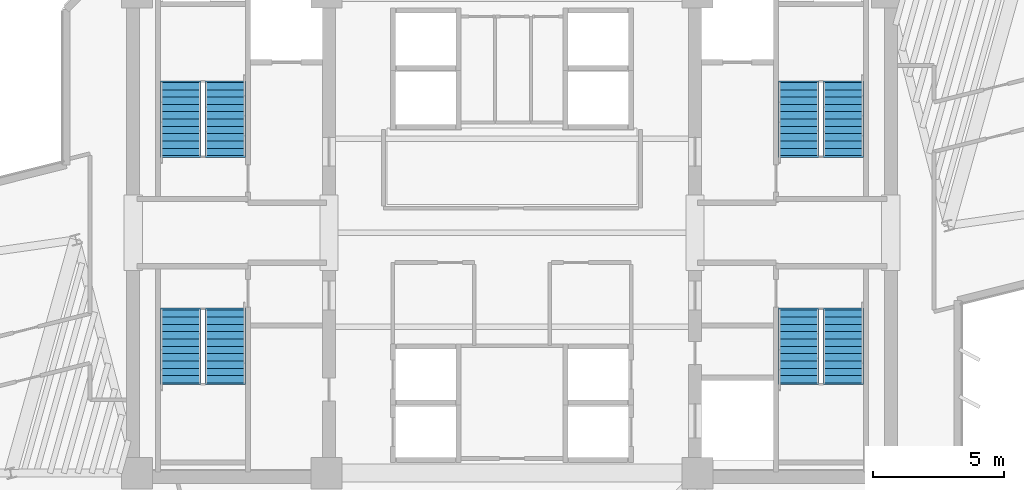
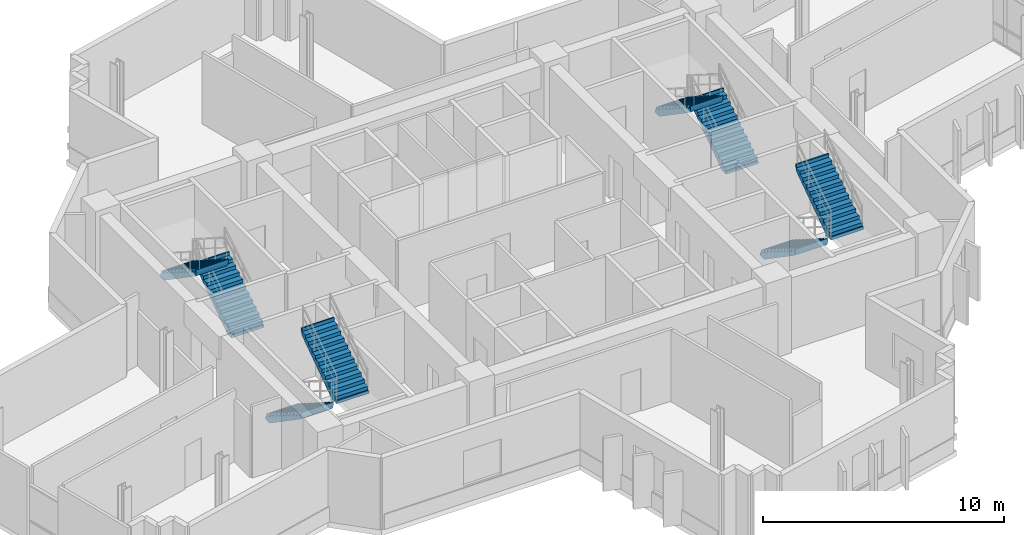
# One storey, part 10 of 13: 8 stair flights, 4 elements without a shape of their own.
"""IFC4 building model written with IfcOpenShell, lengths in metres."""

from ifc_helpers import new_model, si_unit, direction, frame, origin, place, context, subcontext, project, spatial, polyline, outline, extrude, material, type_object, element, aggregate, save


model = new_model("IFC4")

# Units and contexts
model_context = context("Model", 3, precision=1e-05, world=origin(), true_north=direction((0.0, 1.0)))
body_context = subcontext(model_context, "Body", "Model", "MODEL_VIEW")
ifc_project = project(units=[si_unit("LENGTHUNIT", "METRE"), si_unit("AREAUNIT", "SQUARE_METRE"), si_unit("VOLUMEUNIT", "CUBIC_METRE"), si_unit("PLANEANGLEUNIT", "RADIAN"), si_unit("MASSUNIT", "GRAM", prefix="KILO")], contexts=[model_context])

# Site, building, storey
site_placement = place(None, origin())
site = spatial("IfcSite", under=ifc_project, at=site_placement, CompositionType="ELEMENT")
building_placement = place(site_placement, origin())
building = spatial("IfcBuilding", under=site, at=building_placement, Name="Zahravan Cultural Tower", CompositionType="ELEMENT")
storey_placement = place(building_placement, frame((0.0, 0.0, 190.199951171875)))
storey = spatial("IfcBuildingStorey", under=building, at=storey_placement, Name="L44", CompositionType="ELEMENT", Elevation=190.199951171875)

# Stair, stair flights
ifc_material = material(Name="Concrete C45/55", Category="concrete")
stair_type = type_object("IfcStairType", Name="STR-DL-1550-390", PredefinedType="HALF_TURN_STAIR", material=ifc_material)
stair_1_placement = place(storey_placement, origin())
stair_1 = element("IfcStair", 1, at=stair_1_placement, inside=storey, type_object=stair_type, Name="L44 West Core North Exit Stair ST-W1", PredefinedType="HALF_TURN_STAIR")
stair_flight_type = type_object("IfcStairFlightType", Name="FLG-DL-1550-390", PredefinedType="STRAIGHT", material=ifc_material)
stair_flight_1_placement = place(storey_placement, frame((25.02490234375, 29.949951171875, 0.0), z_axis=(0.0, 0.0, 1.0), x_axis=(0.0, 1.0, 0.0)))
stair_flight_1 = element("IfcStairFlight", 2, at=stair_flight_1_placement, type_object=stair_flight_type, Name="ST-W1 flight 1", NumberOfRisers=11, NumberOfTreads=10, PredefinedType="STRAIGHT", RiserHeight=0.177272727, TreadLength=0.28, context=body_context, shape_type="SweptSolid", body=[
    extrude(outline(polyline([(-0.06494140625, -0.139892578125), (-0.06494140625, 0.0), (0.0, 0.0), (0.0, 0.17724609375), (0.280029296875, 0.17724609375), (0.280029296875, 0.3544921875), (0.56005859375, 0.3544921875), (0.56005859375, 0.53173828125), (0.840087890625, 0.53173828125), (0.840087890625, 0.708984375), (1.1201171875, 0.708984375), (1.1201171875, 0.886474609375), (1.39990234375, 0.886474609375), (1.39990234375, 1.063720703125), (1.679931640625, 1.063720703125), (1.679931640625, 1.240966796875), (1.9599609375, 1.240966796875), (1.9599609375, 1.418212890625), (2.239990234375, 1.418212890625), (2.239990234375, 1.595458984375), (2.52001953125, 1.595458984375), (2.52001953125, 1.772705078125), (2.800048828125, 1.772705078125), (2.800048828125, 1.949951171875), (2.864990234375, 1.949951171875), (2.864990234375, 1.800048828125), (2.800048828125, 1.59521484375), (0.2802734375, -0.139892578125), (-0.06494140625, -0.139892578125)])), frame((0.0, 0.77490234375, 0.0), z_axis=(0.0, -1.0, 0.0), x_axis=(1.0, 0.0, 0.0)), (0.0, 0.0, 1.0), 1.550048828125),
])
stair_flight_2_placement = place(storey_placement, frame((23.324951171875, 32.75, 1.949951171875), z_axis=(0.0, 0.0, 1.0), x_axis=(0.0, -1.0, 0.0)))
stair_flight_2 = element("IfcStairFlight", 3, at=stair_flight_2_placement, type_object=stair_flight_type, Name="ST-W1 flight 2", NumberOfRisers=11, NumberOfTreads=10, PredefinedType="STRAIGHT", RiserHeight=0.177272727, TreadLength=0.28, context=body_context, shape_type="SweptSolid", body=[
    extrude(outline(polyline([(-0.06494140625, -0.139892578125), (-0.06494140625, 0.0), (0.0, 0.0), (0.0, 0.17724609375), (0.280029296875, 0.17724609375), (0.280029296875, 0.3544921875), (0.56005859375, 0.3544921875), (0.56005859375, 0.53173828125), (0.840087890625, 0.53173828125), (0.840087890625, 0.708984375), (1.1201171875, 0.708984375), (1.1201171875, 0.886474609375), (1.39990234375, 0.886474609375), (1.39990234375, 1.063720703125), (1.679931640625, 1.063720703125), (1.679931640625, 1.240966796875), (1.9599609375, 1.240966796875), (1.9599609375, 1.418212890625), (2.239990234375, 1.418212890625), (2.239990234375, 1.595458984375), (2.52001953125, 1.595458984375), (2.52001953125, 1.772705078125), (2.800048828125, 1.772705078125), (2.800048828125, 1.949951171875), (2.864990234375, 1.949951171875), (2.864990234375, 1.800048828125), (2.800048828125, 1.59521484375), (0.2802734375, -0.139892578125), (-0.06494140625, -0.139892578125)])), frame((0.0, 0.77490234375, 0.0), z_axis=(0.0, -1.0, 0.0), x_axis=(1.0, 0.0, 0.0)), (0.0, 0.0, 1.0), 1.550048828125),
])
aggregate(stair_1, [stair_flight_1, stair_flight_2])

stair_2_placement = place(storey_placement, origin())
stair_2 = element("IfcStair", 4, at=stair_2_placement, inside=storey, type_object=stair_type, Name="L44 West Core South Exit Stair ST-W2", PredefinedType="HALF_TURN_STAIR")
stair_flight_3_placement = place(storey_placement, frame((23.324951171875, 24.050048828125, 0.0), z_axis=(0.0, 0.0, 1.0), x_axis=(0.0, -1.0, 0.0)))
stair_flight_3 = element("IfcStairFlight", 5, at=stair_flight_3_placement, type_object=stair_flight_type, Name="ST-W2 flight 1", NumberOfRisers=11, NumberOfTreads=10, PredefinedType="STRAIGHT", RiserHeight=0.177272727, TreadLength=0.28, context=body_context, shape_type="SweptSolid", body=[
    extrude(outline(polyline([(-0.06494140625, -0.139892578125), (-0.06494140625, 0.0), (0.0, 0.0), (0.0, 0.17724609375), (0.280029296875, 0.17724609375), (0.280029296875, 0.3544921875), (0.56005859375, 0.3544921875), (0.56005859375, 0.53173828125), (0.840087890625, 0.53173828125), (0.840087890625, 0.708984375), (1.1201171875, 0.708984375), (1.1201171875, 0.886474609375), (1.39990234375, 0.886474609375), (1.39990234375, 1.063720703125), (1.679931640625, 1.063720703125), (1.679931640625, 1.240966796875), (1.9599609375, 1.240966796875), (1.9599609375, 1.418212890625), (2.239990234375, 1.418212890625), (2.239990234375, 1.595458984375), (2.52001953125, 1.595458984375), (2.52001953125, 1.772705078125), (2.800048828125, 1.772705078125), (2.800048828125, 1.949951171875), (2.864990234375, 1.949951171875), (2.864990234375, 1.800048828125), (2.800048828125, 1.59521484375), (0.2802734375, -0.139892578125), (-0.06494140625, -0.139892578125)])), frame((0.0, 0.77490234375, 0.0), z_axis=(0.0, -1.0, 0.0), x_axis=(1.0, 0.0, 0.0)), (0.0, 0.0, 1.0), 1.550048828125),
])
stair_flight_4_placement = place(storey_placement, frame((25.02490234375, 21.25, 1.949951171875), z_axis=(0.0, 0.0, 1.0), x_axis=(0.0, 1.0, 0.0)))
stair_flight_4 = element("IfcStairFlight", 6, at=stair_flight_4_placement, type_object=stair_flight_type, Name="ST-W2 flight 2", NumberOfRisers=11, NumberOfTreads=10, PredefinedType="STRAIGHT", RiserHeight=0.177272727, TreadLength=0.28, context=body_context, shape_type="SweptSolid", body=[
    extrude(outline(polyline([(-0.06494140625, -0.139892578125), (-0.06494140625, 0.0), (0.0, 0.0), (0.0, 0.17724609375), (0.280029296875, 0.17724609375), (0.280029296875, 0.3544921875), (0.56005859375, 0.3544921875), (0.56005859375, 0.53173828125), (0.840087890625, 0.53173828125), (0.840087890625, 0.708984375), (1.1201171875, 0.708984375), (1.1201171875, 0.886474609375), (1.39990234375, 0.886474609375), (1.39990234375, 1.063720703125), (1.679931640625, 1.063720703125), (1.679931640625, 1.240966796875), (1.9599609375, 1.240966796875), (1.9599609375, 1.418212890625), (2.239990234375, 1.418212890625), (2.239990234375, 1.595458984375), (2.52001953125, 1.595458984375), (2.52001953125, 1.772705078125), (2.800048828125, 1.772705078125), (2.800048828125, 1.949951171875), (2.864990234375, 1.949951171875), (2.864990234375, 1.800048828125), (2.800048828125, 1.59521484375), (0.2802734375, -0.139892578125), (-0.06494140625, -0.139892578125)])), frame((0.0, 0.77490234375, 0.0), z_axis=(0.0, -1.0, 0.0), x_axis=(1.0, 0.0, 0.0)), (0.0, 0.0, 1.0), 1.550048828125),
])
aggregate(stair_2, [stair_flight_3, stair_flight_4])

stair_3_placement = place(storey_placement, origin())
stair_3 = element("IfcStair", 7, at=stair_3_placement, inside=storey, type_object=stair_type, Name="L44 East Core North Exit Stair ST-E1", PredefinedType="HALF_TURN_STAIR")
stair_flight_5_placement = place(storey_placement, frame((48.675048828125, 29.949951171875, 0.0), z_axis=(0.0, 0.0, 1.0), x_axis=(0.0, 1.0, 0.0)))
stair_flight_5 = element("IfcStairFlight", 8, at=stair_flight_5_placement, type_object=stair_flight_type, Name="ST-E1 flight 1", NumberOfRisers=11, NumberOfTreads=10, PredefinedType="STRAIGHT", RiserHeight=0.177272727, TreadLength=0.28, context=body_context, shape_type="SweptSolid", body=[
    extrude(outline(polyline([(-0.06494140625, -0.139892578125), (-0.06494140625, 0.0), (0.0, 0.0), (0.0, 0.17724609375), (0.280029296875, 0.17724609375), (0.280029296875, 0.3544921875), (0.56005859375, 0.3544921875), (0.56005859375, 0.53173828125), (0.840087890625, 0.53173828125), (0.840087890625, 0.708984375), (1.1201171875, 0.708984375), (1.1201171875, 0.886474609375), (1.39990234375, 0.886474609375), (1.39990234375, 1.063720703125), (1.679931640625, 1.063720703125), (1.679931640625, 1.240966796875), (1.9599609375, 1.240966796875), (1.9599609375, 1.418212890625), (2.239990234375, 1.418212890625), (2.239990234375, 1.595458984375), (2.52001953125, 1.595458984375), (2.52001953125, 1.772705078125), (2.800048828125, 1.772705078125), (2.800048828125, 1.949951171875), (2.864990234375, 1.949951171875), (2.864990234375, 1.800048828125), (2.800048828125, 1.59521484375), (0.2802734375, -0.139892578125), (-0.06494140625, -0.139892578125)])), frame((0.0, 0.77490234375, 0.0), z_axis=(0.0, -1.0, 0.0), x_axis=(1.0, 0.0, 0.0)), (0.0, 0.0, 1.0), 1.550048828125),
])
stair_flight_6_placement = place(storey_placement, frame((46.97509765625, 32.75, 1.949951171875), z_axis=(0.0, 0.0, 1.0), x_axis=(0.0, -1.0, 0.0)))
stair_flight_6 = element("IfcStairFlight", 9, at=stair_flight_6_placement, type_object=stair_flight_type, Name="ST-E1 flight 2", NumberOfRisers=11, NumberOfTreads=10, PredefinedType="STRAIGHT", RiserHeight=0.177272727, TreadLength=0.28, context=body_context, shape_type="SweptSolid", body=[
    extrude(outline(polyline([(-0.06494140625, -0.139892578125), (-0.06494140625, 0.0), (0.0, 0.0), (0.0, 0.17724609375), (0.280029296875, 0.17724609375), (0.280029296875, 0.3544921875), (0.56005859375, 0.3544921875), (0.56005859375, 0.53173828125), (0.840087890625, 0.53173828125), (0.840087890625, 0.708984375), (1.1201171875, 0.708984375), (1.1201171875, 0.886474609375), (1.39990234375, 0.886474609375), (1.39990234375, 1.063720703125), (1.679931640625, 1.063720703125), (1.679931640625, 1.240966796875), (1.9599609375, 1.240966796875), (1.9599609375, 1.418212890625), (2.239990234375, 1.418212890625), (2.239990234375, 1.595458984375), (2.52001953125, 1.595458984375), (2.52001953125, 1.772705078125), (2.800048828125, 1.772705078125), (2.800048828125, 1.949951171875), (2.864990234375, 1.949951171875), (2.864990234375, 1.800048828125), (2.800048828125, 1.59521484375), (0.2802734375, -0.139892578125), (-0.06494140625, -0.139892578125)])), frame((0.0, 0.77490234375, 0.0), z_axis=(0.0, -1.0, 0.0), x_axis=(1.0, 0.0, 0.0)), (0.0, 0.0, 1.0), 1.550048828125),
])
aggregate(stair_3, [stair_flight_5, stair_flight_6])

stair_4_placement = place(storey_placement, origin())
stair_4 = element("IfcStair", 10, at=stair_4_placement, inside=storey, type_object=stair_type, Name="L44 East Core South Exit Stair ST-E2", PredefinedType="HALF_TURN_STAIR")
stair_flight_7_placement = place(storey_placement, frame((46.97509765625, 24.050048828125, 0.0), z_axis=(0.0, 0.0, 1.0), x_axis=(0.0, -1.0, 0.0)))
stair_flight_7 = element("IfcStairFlight", 11, at=stair_flight_7_placement, type_object=stair_flight_type, Name="ST-E2 flight 1", NumberOfRisers=11, NumberOfTreads=10, PredefinedType="STRAIGHT", RiserHeight=0.177272727, TreadLength=0.28, context=body_context, shape_type="SweptSolid", body=[
    extrude(outline(polyline([(-0.06494140625, -0.139892578125), (-0.06494140625, 0.0), (0.0, 0.0), (0.0, 0.17724609375), (0.280029296875, 0.17724609375), (0.280029296875, 0.3544921875), (0.56005859375, 0.3544921875), (0.56005859375, 0.53173828125), (0.840087890625, 0.53173828125), (0.840087890625, 0.708984375), (1.1201171875, 0.708984375), (1.1201171875, 0.886474609375), (1.39990234375, 0.886474609375), (1.39990234375, 1.063720703125), (1.679931640625, 1.063720703125), (1.679931640625, 1.240966796875), (1.9599609375, 1.240966796875), (1.9599609375, 1.418212890625), (2.239990234375, 1.418212890625), (2.239990234375, 1.595458984375), (2.52001953125, 1.595458984375), (2.52001953125, 1.772705078125), (2.800048828125, 1.772705078125), (2.800048828125, 1.949951171875), (2.864990234375, 1.949951171875), (2.864990234375, 1.800048828125), (2.800048828125, 1.59521484375), (0.2802734375, -0.139892578125), (-0.06494140625, -0.139892578125)])), frame((0.0, 0.77490234375, 0.0), z_axis=(0.0, -1.0, 0.0), x_axis=(1.0, 0.0, 0.0)), (0.0, 0.0, 1.0), 1.550048828125),
])
stair_flight_8_placement = place(storey_placement, frame((48.675048828125, 21.25, 1.949951171875), z_axis=(0.0, 0.0, 1.0), x_axis=(0.0, 1.0, 0.0)))
stair_flight_8 = element("IfcStairFlight", 12, at=stair_flight_8_placement, type_object=stair_flight_type, Name="ST-E2 flight 2", NumberOfRisers=11, NumberOfTreads=10, PredefinedType="STRAIGHT", RiserHeight=0.177272727, TreadLength=0.28, context=body_context, shape_type="SweptSolid", body=[
    extrude(outline(polyline([(-0.06494140625, -0.139892578125), (-0.06494140625, 0.0), (0.0, 0.0), (0.0, 0.17724609375), (0.280029296875, 0.17724609375), (0.280029296875, 0.3544921875), (0.56005859375, 0.3544921875), (0.56005859375, 0.53173828125), (0.840087890625, 0.53173828125), (0.840087890625, 0.708984375), (1.1201171875, 0.708984375), (1.1201171875, 0.886474609375), (1.39990234375, 0.886474609375), (1.39990234375, 1.063720703125), (1.679931640625, 1.063720703125), (1.679931640625, 1.240966796875), (1.9599609375, 1.240966796875), (1.9599609375, 1.418212890625), (2.239990234375, 1.418212890625), (2.239990234375, 1.595458984375), (2.52001953125, 1.595458984375), (2.52001953125, 1.772705078125), (2.800048828125, 1.772705078125), (2.800048828125, 1.949951171875), (2.864990234375, 1.949951171875), (2.864990234375, 1.800048828125), (2.800048828125, 1.59521484375), (0.2802734375, -0.139892578125), (-0.06494140625, -0.139892578125)])), frame((0.0, 0.77490234375, 0.0), z_axis=(0.0, -1.0, 0.0), x_axis=(1.0, 0.0, 0.0)), (0.0, 0.0, 1.0), 1.550048828125),
])
aggregate(stair_4, [stair_flight_7, stair_flight_8])

save(model, "model.ifc")
